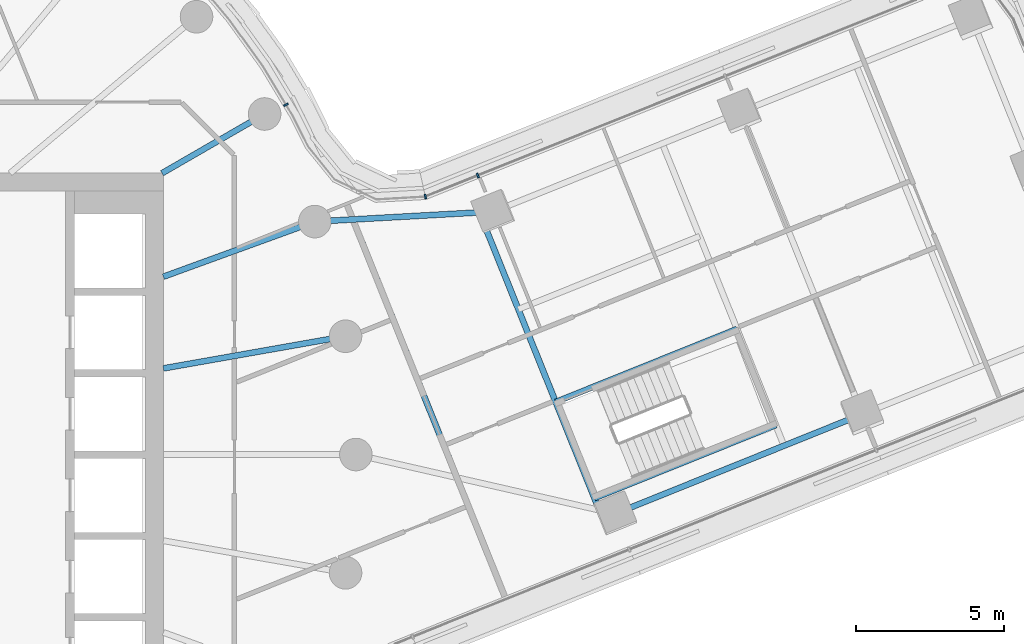
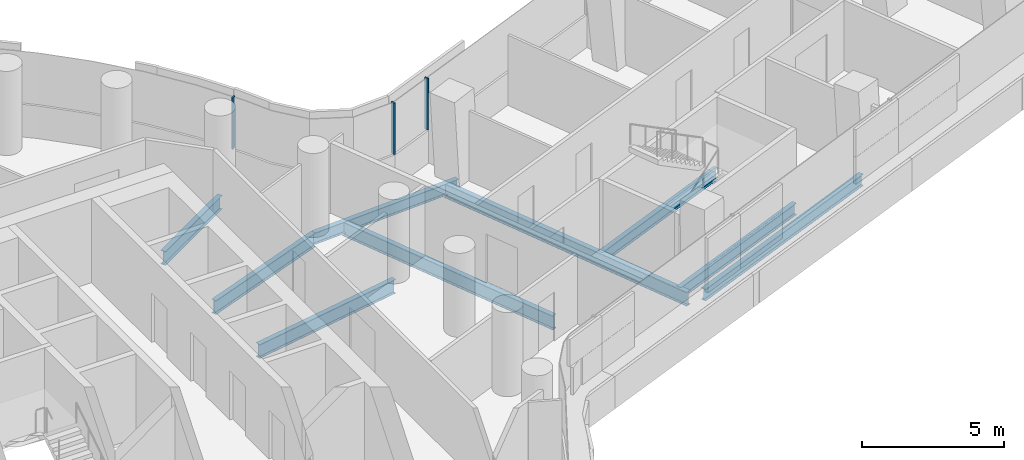
# One storey, part 11 of 32: 9 beams, 3 members, 2 elements without a shape of their own.
"""IFC4 building model written with IfcOpenShell, lengths in metres."""

from ifc_helpers import new_model, si_unit, direction, frame, origin, origin_2d, place, context, subcontext, project, spatial, rectangle, i_section, extrude, material, layer, layer_set, material_profile, profile_set, type_object, element, aggregate, save


model = new_model("IFC4")

# Units and contexts
model_context = context("Model", 3, precision=1e-05, world=origin(), true_north=direction((0.0, 1.0)))
body_context = subcontext(model_context, "Body", "Model", "MODEL_VIEW")
ifc_project = project(units=[si_unit("LENGTHUNIT", "METRE"), si_unit("AREAUNIT", "SQUARE_METRE"), si_unit("VOLUMEUNIT", "CUBIC_METRE"), si_unit("PLANEANGLEUNIT", "RADIAN"), si_unit("MASSUNIT", "GRAM", prefix="KILO")], contexts=[model_context])

# Site, building, storey
site_placement = place(None, origin())
site = spatial("IfcSite", under=ifc_project, at=site_placement, CompositionType="ELEMENT")
building_placement = place(site_placement, origin())
building = spatial("IfcBuilding", under=site, at=building_placement, Name="Tamarind Cross Interchange Tower", CompositionType="ELEMENT")
storey_placement = place(building_placement, frame((0.0, 0.0, 113.5)))
storey = spatial("IfcBuildingStorey", under=building, at=storey_placement, Name="L27", CompositionType="ELEMENT", Elevation=113.5)

# Beams
ifc_material_1 = material(Name="Steel Q355B", Category="steel")
ifc_material_profile_1 = material_profile(ifc_material_1, i_section(OverallWidth=0.198974609375, OverallDepth=0.49609375, WebThickness=0.009033203125, FlangeThickness=0.013916015625, FilletRadius=0.012939453125, at=origin_2d()), Name="HN 496x199x9x14")
ifc_profile_set_1 = profile_set([ifc_material_profile_1], Name="Steel Q355B")
beam_type_1 = type_object("IfcBeamType", Name="Composite beam HN 496x199x9x14 Q355B", PredefinedType="BEAM", material=ifc_profile_set_1)
beam_1_placement = place(storey_placement, frame((40.10205078125, 1.362548828125, -0.387939453125), z_axis=(-0.92757222343, -0.37364390845, 0.0), x_axis=(0.37364390845, -0.92757222343, 0.0)))
element("IfcBeam", 1, at=beam_1_placement, inside=storey, type_object=beam_type_1, Name="Beam E-edgeem6", PredefinedType="BEAM", context=body_context, shape_type="SweptSolid", body=[
    extrude(i_section(OverallWidth=0.198974609375, OverallDepth=0.49609375, WebThickness=0.009033203125, FlangeThickness=0.013916015625, FilletRadius=0.012939453125, at=origin_2d()), origin(), (0.0, 0.0, 1.0), 9.0),
])
beam_2_placement = place(storey_placement, frame((27.643798828125, 8.202880859375, -0.387939453125), z_axis=(-0.998447641525, -0.055698358433, 0.0), x_axis=(0.055698358433, -0.998447641525, 0.0)))
element("IfcBeam", 2, at=beam_2_placement, inside=storey, type_object=beam_type_1, Name="Beam E-linkep", PredefinedType="BEAM", context=body_context, shape_type="SweptSolid", body=[
    extrude(i_section(OverallWidth=0.198974609375, OverallDepth=0.49609375, WebThickness=0.009033203125, FlangeThickness=0.013916015625, FilletRadius=0.012939453125, at=origin_2d()), origin(), (0.0, 0.0, 1.0), 6.0400390625),
])
beam_3_placement = place(storey_placement, frame((31.05615234375, -1.472900390625, -0.387939453125), z_axis=(0.927573434437, 0.373640902107, 0.0), x_axis=(-0.373640902107, 0.927573434437, 0.0)))
element("IfcBeam", 3, at=beam_3_placement, inside=storey, type_object=beam_type_1, Name="Beam E-tr0", PredefinedType="BEAM", context=body_context, shape_type="SweptSolid", body=[
    extrude(i_section(OverallWidth=0.198974609375, OverallDepth=0.49609375, WebThickness=0.009033203125, FlangeThickness=0.013916015625, FilletRadius=0.012939453125, at=origin_2d()), origin(), (0.0, 0.0, 1.0), 6.60009765625),
])
beam_4_placement = place(storey_placement, frame((29.74853515625, 1.773681640625, -0.387939453125), z_axis=(0.927568270021, 0.373653722651, 0.0), x_axis=(-0.373653722651, 0.927568270021, 0.0)))
element("IfcBeam", 4, at=beam_4_placement, inside=storey, type_object=beam_type_1, Name="Beam E-tr1", PredefinedType="BEAM", context=body_context, shape_type="SweptSolid", body=[
    extrude(i_section(OverallWidth=0.198974609375, OverallDepth=0.49609375, WebThickness=0.009033203125, FlangeThickness=0.013916015625, FilletRadius=0.012939453125, at=origin_2d()), origin(), (0.0, 0.0, 1.0), 6.599853515625),
])
ifc_material_profile_2 = material_profile(ifc_material_1, i_section(OverallWidth=0.198974609375, OverallDepth=0.595947265625, WebThickness=0.010009765625, FlangeThickness=0.014892578125, FilletRadius=0.012939453125, at=origin_2d()), Name="HN 596x199x10x15")
ifc_profile_set_2 = profile_set([ifc_material_profile_2], Name="Steel Q355B")
beam_type_2 = type_object("IfcBeamType", Name="Composite beam HN 596x199x10x15 Q355B", PredefinedType="BEAM", material=ifc_profile_set_2)
beam_5_placement = place(storey_placement, frame((22.650634765625, 3.993896484375, -0.43798828125), z_axis=(-0.984809127561, -0.173640382036, 0.0), x_axis=(0.173640382036, -0.984809127561, 0.0)))
element("IfcBeam", 5, at=beam_5_placement, inside=storey, type_object=beam_type_2, Name="Beam HH01", PredefinedType="BEAM", context=body_context, shape_type="SweptSolid", body=[
    extrude(i_section(OverallWidth=0.198974609375, OverallDepth=0.595947265625, WebThickness=0.010009765625, FlangeThickness=0.014892578125, FilletRadius=0.012939453125, at=origin_2d()), origin(), (0.0, 0.0, 1.0), 6.24560546875),
])
beam_6_placement = place(storey_placement, frame((21.613037109375, 7.866455078125, -0.43798828125), z_axis=(-0.939701685589, -0.341995236956, 0.0), x_axis=(0.341995236956, -0.939701685589, 0.0)))
element("IfcBeam", 6, at=beam_6_placement, inside=storey, type_object=beam_type_2, Name="Beam HH02", PredefinedType="BEAM", context=body_context, shape_type="SweptSolid", body=[
    extrude(i_section(OverallWidth=0.198974609375, OverallDepth=0.595947265625, WebThickness=0.010009765625, FlangeThickness=0.014892578125, FilletRadius=0.012939453125, at=origin_2d()), origin(), (0.0, 0.0, 1.0), 5.441162109375),
])
beam_7_placement = place(storey_placement, frame((19.918701171875, 11.5, -0.43798828125), z_axis=(-0.866026010844, -0.49999894854, 0.0), x_axis=(0.49999894854, -0.866026010844, 0.0)))
element("IfcBeam", 7, at=beam_7_placement, inside=storey, type_object=beam_type_2, Name="Beam HH03", PredefinedType="BEAM", context=body_context, shape_type="SweptSolid", body=[
    extrude(i_section(OverallWidth=0.198974609375, OverallDepth=0.595947265625, WebThickness=0.010009765625, FlangeThickness=0.014892578125, FilletRadius=0.012939453125, at=origin_2d()), origin(), (0.0, 0.0, 1.0), 4.0),
])
ifc_material_profile_3 = material_profile(ifc_material_1, i_section(OverallWidth=0.199951171875, OverallDepth=0.60009765625, WebThickness=0.010986328125, FlangeThickness=0.01708984375, FilletRadius=0.012939453125, at=origin_2d()), Name="HN 600x200x11x17")
ifc_profile_set_3 = profile_set([ifc_material_profile_3], Name="Steel Q355B")
beam_type_3 = type_object("IfcBeamType", Name="Composite beam HN 600x200x11x17 Q355B", PredefinedType="BEAM", material=ifc_profile_set_3)
beam_8_placement = place(storey_placement, frame((31.219482421875, -1.878173828125, -0.43994140625), z_axis=(-0.373649600515, 0.927569930536, 0.0), x_axis=(-0.927569930536, -0.373649600515, 0.0)))
element("IfcBeam", 8, at=beam_8_placement, inside=storey, type_object=beam_type_3, Name="Beam E-x298", PredefinedType="BEAM", context=body_context, shape_type="SweptSolid", body=[
    extrude(i_section(OverallWidth=0.199951171875, OverallDepth=0.60009765625, WebThickness=0.010986328125, FlangeThickness=0.01708984375, FilletRadius=0.012939453125, at=origin_2d()), origin(), (0.0, 0.0, 1.0), 10.83984375),
])
beam_9_placement = place(storey_placement, frame((26.41064453125, -0.779296875, -0.43994140625), z_axis=(-0.373655855625, 0.927567410789, 0.0), x_axis=(-0.927567410789, -0.373655855625, 0.0)))
element("IfcBeam", 9, at=beam_9_placement, inside=storey, type_object=beam_type_3, Name="Beam E-x258", PredefinedType="BEAM", context=body_context, shape_type="SweptSolid", body=[
    extrude(i_section(OverallWidth=0.199951171875, OverallDepth=0.60009765625, WebThickness=0.010986328125, FlangeThickness=0.01708984375, FilletRadius=0.012939453125, at=origin_2d()), origin(), (0.0, 0.0, 1.0), 9.398193359375),
])

# Curtain wall, member
ifc_material_2 = material(Name="Aluminium 6063-T6", Category="aluminium")
ifc_layer = layer(ifc_material_2, 0.159912109375)
ifc_layer_set = layer_set([ifc_layer], Name="Aluminium 6063-T6")
curtain_wall_type = type_object("IfcCurtainWallType", Name="Office curtain wall, 9.0 m bays", PredefinedType="NOTDEFINED", material=ifc_layer_set)
curtain_wall_1_placement = place(storey_placement, origin())
curtain_wall_1 = element("IfcCurtainWall", 10, at=curtain_wall_1_placement, inside=storey, type_object=curtain_wall_type, Name="CWS-L27-09", PredefinedType="NOTDEFINED")
ifc_material_profile_4 = material_profile(ifc_material_2, rectangle(XDim=0.06005859375, YDim=0.159912109375, at=origin_2d()), Name="Mullion CW1")
ifc_profile_set_4 = profile_set([ifc_material_profile_4], Name="Aluminium 6063-T6")
member_type = type_object("IfcMemberType", Name="Mullion CW1", PredefinedType="MULLION", material=ifc_profile_set_4)
member_1_placement = place(storey_placement, frame((27.11767578125, 9.422607421875, 1.39990234375), z_axis=(0.0, 0.0, 1.0), x_axis=(-0.928182933401, -0.372124229448, 0.0)))
member_1 = element("IfcMember", 11, at=member_1_placement, type_object=member_type, Name="CWM-L27-09-02", PredefinedType="MULLION", context=body_context, shape_type="SweptSolid", body=[
    extrude(rectangle(XDim=0.06005859375, YDim=0.159912109375, at=origin_2d()), origin(), (0.0, 0.0, 1.0), 2.210205078125),
])
aggregate(curtain_wall_1, [member_1])

# Curtain wall, members
curtain_wall_2_placement = place(storey_placement, origin())
curtain_wall_2 = element("IfcCurtainWall", 12, at=curtain_wall_2_placement, inside=storey, type_object=curtain_wall_type, Name="CWS-L27-10", PredefinedType="NOTDEFINED")
member_2_placement = place(storey_placement, frame((25.347412109375, 8.712646484375, 1.39990234375), z_axis=(0.0, 0.0, 1.0), x_axis=(-0.976079629461, -0.217413332045, 0.0)))
member_2 = element("IfcMember", 13, at=member_2_placement, type_object=member_type, Name="CWM-L27-10-00", PredefinedType="MULLION", context=body_context, shape_type="SweptSolid", body=[
    extrude(rectangle(XDim=0.06005859375, YDim=0.159912109375, at=origin_2d()), origin(), (0.0, 0.0, 1.0), 2.210205078125),
])
member_3_placement = place(storey_placement, frame((20.639892578125, 11.812744140625, 1.39990234375), z_axis=(0.0, 0.0, 1.0), x_axis=(-0.515577308909, 0.856843065292, 0.0)))
member_3 = element("IfcMember", 14, at=member_3_placement, type_object=member_type, Name="CWM-L27-10-01", PredefinedType="MULLION", context=body_context, shape_type="SweptSolid", body=[
    extrude(rectangle(XDim=0.06005859375, YDim=0.159912109375, at=origin_2d()), origin(), (0.0, 0.0, 1.0), 2.210205078125),
])
aggregate(curtain_wall_2, [member_2, member_3])

save(model, "model.ifc")
